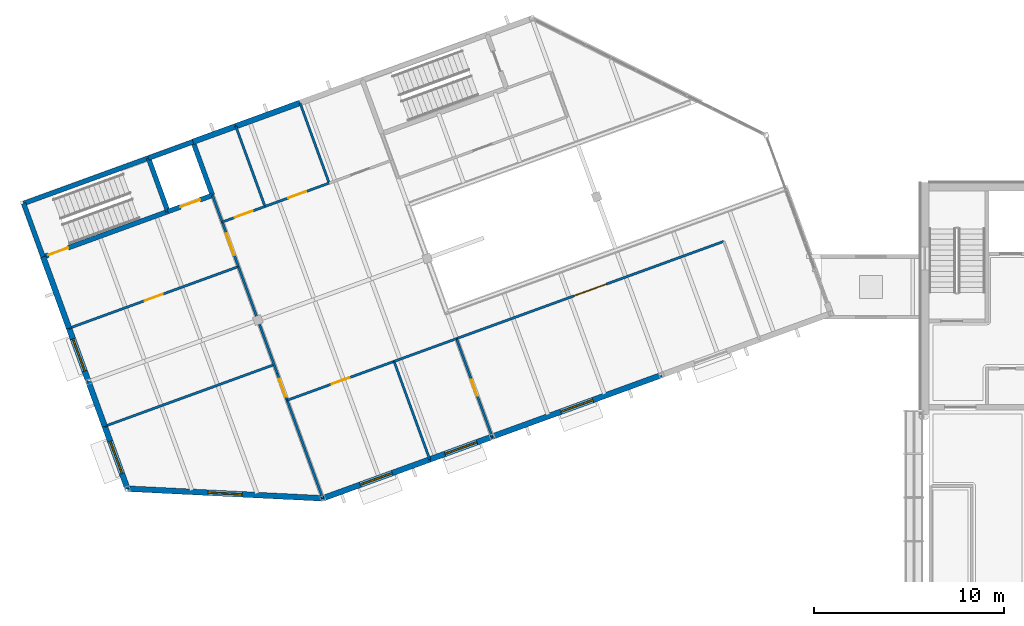
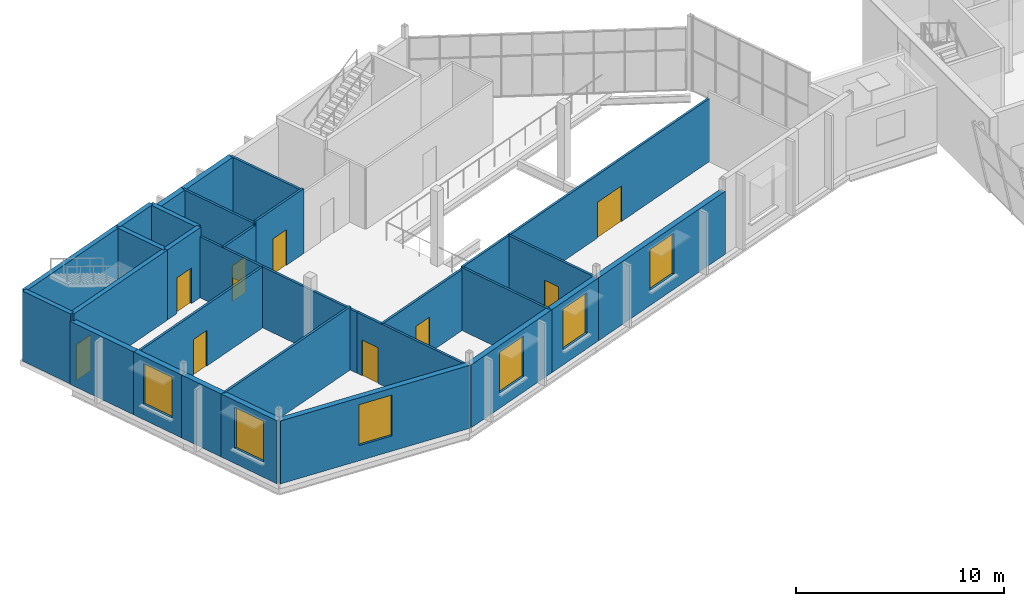
# One storey, part 70 of 115: 31 walls, 10 doors, 6 windows, 16 openings.
"""IFC4 building model written with IfcOpenShell, lengths in metres."""

from ifc_helpers import new_model, si_unit, direction, frame, frame_2d, origin, place, context, subcontext, project, spatial, rectangle, extrude, material, layer, layer_set, type_object, element, fill, save


model = new_model("IFC4")

# Units and contexts
model_context = context("Model", 3, precision=1e-05, world=origin(), true_north=direction((0.0, 1.0)))
body_context = subcontext(model_context, "Body", "Model", "MODEL_VIEW")
ifc_project = project(units=[si_unit("LENGTHUNIT", "METRE"), si_unit("AREAUNIT", "SQUARE_METRE"), si_unit("VOLUMEUNIT", "CUBIC_METRE"), si_unit("PLANEANGLEUNIT", "RADIAN"), si_unit("MASSUNIT", "GRAM", prefix="KILO")], contexts=[model_context])

# Site, building, storey
site_placement = place(None, origin())
site = spatial("IfcSite", under=ifc_project, at=site_placement, CompositionType="ELEMENT")
building_placement = place(site_placement, origin())
building = spatial("IfcBuilding", under=site, at=building_placement, Name="Windward Yard Aquatics Centre", CompositionType="ELEMENT")
storey_placement = place(building_placement, frame((0.0, 0.0, 5.0)))
storey = spatial("IfcBuildingStorey", under=building, at=storey_placement, Name="L01", CompositionType="ELEMENT", Elevation=5.0)

# Wall, opening, door
ifc_material_1 = material(Name="Concrete C40/50", Category="concrete")
ifc_layer_1 = layer(ifc_material_1, 0.25)
ifc_layer_set_1 = layer_set([ifc_layer_1], Name="F core wall 250 Concrete C40/50")
wall_type_1 = type_object("IfcWallType", Name="F core wall 250 Concrete C40/50", PredefinedType="SOLIDWALL", material=ifc_layer_set_1)
wall_1_placement = place(storey_placement, frame((5.751708984375, 92.07958984375, 0.0), z_axis=(0.0, 0.0, 1.0), x_axis=(0.939697665127, 0.342006283793, 0.0)))
wall_1 = element("IfcWall", 1, at=wall_1_placement, inside=storey, type_object=wall_type_1, Name="F.WL.L01.C01", PredefinedType="SOLIDWALL", context=body_context, shape_type="SweptSolid", body=[
    extrude(rectangle(XDim=7.0, YDim=0.25, at=frame_2d((3.5, 0.0))), origin(), (0.0, 0.0, 1.0), 4.1201171875),
])
opening_1_placement = place(wall_1_placement, frame((0.300048828125, 0.0, 0.0)))
opening_1 = element("IfcOpeningElement", 2, at=opening_1_placement, cuts=wall_1, Name="Opening F1002", PredefinedType="OPENING", context=body_context, shape_type="SweptSolid", body=[
    extrude(rectangle(XDim=1.10009765625, YDim=2.10009765625, at=frame_2d((0.550048828125, 1.050048828125))), frame((0.0, 0.135009765625, 0.0), z_axis=(0.0, -1.0, 0.0), x_axis=(1.0, 0.0, 0.0)), (0.0, 0.0, 1.0), 0.27001953125),
])
ifc_material_2 = material(Name="Steel, painted", Category="steel")
door_type_1 = type_object("IfcDoorType", Name="F fire door 1100x2100 steel", OperationType="SINGLE_SWING_LEFT", PredefinedType="DOOR", material=ifc_material_2)
door_1_placement = place(opening_1_placement, origin())
door_1 = element("IfcDoor", 3, at=door_1_placement, inside=storey, type_object=door_type_1, Name="Stair S1 door F1002", OperationType="SINGLE_SWING_LEFT", OverallHeight=2.10009765625, OverallWidth=1.10009765625, PredefinedType="DOOR", context=body_context, shape_type="SweptSolid", body=[
    extrude(rectangle(XDim=1.10009765625, YDim=2.10009765625, at=frame_2d((0.550048828125, 1.050048828125))), frame((0.0, 0.02490234375, 0.0), z_axis=(0.0, -1.0, 0.0), x_axis=(1.0, 0.0, 0.0)), (0.0, 0.0, 1.0), 0.050048828125),
])
fill(opening_1, door_1)

# Wall
wall_2_placement = place(storey_placement, frame((12.32958984375, 94.4736328125, 0.0), z_axis=(0.0, 0.0, 1.0), x_axis=(-0.342037080957, 0.939686455819, 0.0)))
element("IfcWall", 4, at=wall_2_placement, inside=storey, type_object=wall_type_1, Name="F.WL.L01.C02", PredefinedType="SOLIDWALL", context=body_context, shape_type="SweptSolid", body=[
    extrude(rectangle(XDim=3.0, YDim=0.25, at=frame_2d((1.5, 0.0))), origin(), (0.0, 0.0, 1.0), 4.1201171875),
])

# Wall, opening, door
wall_3_placement = place(storey_placement, frame((12.32958984375, 94.4736328125, 0.0), z_axis=(0.0, 0.0, 1.0), x_axis=(0.939696437289, 0.342009657388, 0.0)))
wall_3 = element("IfcWall", 5, at=wall_3_placement, inside=storey, type_object=wall_type_1, Name="F.WL.L01.C03", PredefinedType="SOLIDWALL", context=body_context, shape_type="SweptSolid", body=[
    extrude(rectangle(XDim=2.499755859375, YDim=0.25, at=frame_2d((1.25, 0.0))), origin(), (0.0, 0.0, 1.0), 4.1201171875),
])
opening_2_placement = place(wall_3_placement, frame((0.699951171875, 0.0, 0.0)))
opening_2 = element("IfcOpeningElement", 6, at=opening_2_placement, cuts=wall_3, Name="Opening LD", PredefinedType="OPENING", context=body_context, shape_type="SweptSolid", body=[
    extrude(rectangle(XDim=1.10009765625, YDim=2.10009765625, at=frame_2d((0.550048828125, 1.050048828125))), frame((0.0, 0.135009765625, 0.0), z_axis=(0.0, -1.0, 0.0), x_axis=(1.0, 0.0, 0.0)), (0.0, 0.0, 1.0), 0.27001953125),
])
ifc_material_3 = material(Name="Stainless steel", Category="steel")
door_type_2 = type_object("IfcDoorType", Name="F lift landing door 1100x2100 stainless steel", OperationType="SINGLE_SWING_LEFT", PredefinedType="DOOR", material=ifc_material_3)
door_2_placement = place(opening_2_placement, origin())
door_2 = element("IfcDoor", 7, at=door_2_placement, inside=storey, type_object=door_type_2, Name="Lift landing door LD", OperationType="DOUBLE_DOOR_SLIDING", OverallHeight=2.10009765625, OverallWidth=1.10009765625, PredefinedType="DOOR", context=body_context, shape_type="SweptSolid", body=[
    extrude(rectangle(XDim=1.10009765625, YDim=2.10009765625, at=frame_2d((0.550048828125, 1.050048828125))), frame((0.0, 0.02490234375, 0.0), z_axis=(0.0, -1.0, 0.0), x_axis=(1.0, 0.0, 0.0)), (0.0, 0.0, 1.0), 0.050048828125),
])
fill(opening_2, door_2)

# Walls
wall_4_placement = place(storey_placement, frame((14.6787109375, 95.32861328125, 0.0), z_axis=(0.0, 0.0, 1.0), x_axis=(-0.342037080957, 0.939686455819, 0.0)))
element("IfcWall", 8, at=wall_4_placement, inside=storey, type_object=wall_type_1, Name="F.WL.L01.C04", PredefinedType="SOLIDWALL", context=body_context, shape_type="SweptSolid", body=[
    extrude(rectangle(XDim=3.0, YDim=0.25, at=frame_2d((1.5, 0.0))), origin(), (0.0, 0.0, 1.0), 4.1201171875),
])
wall_5_placement = place(storey_placement, frame((13.652587890625, 98.147705078125, 0.0), z_axis=(0.0, 0.0, 1.0), x_axis=(-0.939696437289, -0.342009657388, 0.0)))
element("IfcWall", 9, at=wall_5_placement, inside=storey, type_object=wall_type_1, Name="F.WL.L01.X02", PredefinedType="SOLIDWALL", context=body_context, shape_type="SweptSolid", body=[
    extrude(rectangle(XDim=2.499755859375, YDim=0.25, at=frame_2d((1.25, 0.0))), origin(), (0.0, 0.0, 1.0), 4.1201171875),
])
wall_6_placement = place(storey_placement, frame((11.303466796875, 97.292724609375, 0.0), z_axis=(0.0, 0.0, 1.0), x_axis=(-0.939686455819, -0.342037080957, 0.0)))
element("IfcWall", 10, at=wall_6_placement, inside=storey, type_object=wall_type_1, Name="F.WL.L01.X03", PredefinedType="SOLIDWALL", context=body_context, shape_type="SweptSolid", body=[
    extrude(rectangle(XDim=7.0, YDim=0.25, at=frame_2d((3.5, 0.0))), origin(), (0.0, 0.0, 1.0), 4.1201171875),
])
wall_7_placement = place(storey_placement, frame((4.7255859375, 94.8984375, 0.0), z_axis=(0.0, 0.0, 1.0), x_axis=(0.342063238742, -0.939676934218, 0.0)))
element("IfcWall", 11, at=wall_7_placement, inside=storey, type_object=wall_type_1, Name="F.WL.L01.X04", PredefinedType="SOLIDWALL", context=body_context, shape_type="SweptSolid", body=[
    extrude(rectangle(XDim=2.999755859375, YDim=0.25, at=frame_2d((1.5, 0.0))), origin(), (0.0, 0.0, 1.0), 4.1201171875),
])

# Wall, opening, door
ifc_material_4 = material(Name="Gypsum board on steel studs", Category="steel")
ifc_layer_2 = layer(ifc_material_4, 0.125)
ifc_layer_set_2 = layer_set([ifc_layer_2], Name="F partition 125 gypsum board")
wall_type_2 = type_object("IfcWallType", Name="F partition 125 gypsum board", PredefinedType="PARTITIONING", material=ifc_layer_set_2)
wall_8_placement = place(storey_placement, frame((7.119873046875, 88.32080078125, 0.0), z_axis=(0.0, 0.0, 1.0), x_axis=(0.939697342025, 0.342007171549, 0.0)))
wall_8 = element("IfcWall", 12, at=wall_8_placement, inside=storey, type_object=wall_type_2, Name="F.WL.L01.P001", PredefinedType="PARTITIONING", context=body_context, shape_type="SweptSolid", body=[
    extrude(rectangle(XDim=9.499755859375, YDim=0.125, at=frame_2d((4.75, 0.0))), origin(), (0.0, 0.0, 1.0), 3.5869140625),
])
opening_3_placement = place(wall_8_placement, frame((4.25, 0.0, 0.0)))
opening_3 = element("IfcOpeningElement", 13, at=opening_3_placement, cuts=wall_8, Name="Opening F1005", PredefinedType="OPENING", context=body_context, shape_type="SweptSolid", body=[
    extrude(rectangle(XDim=1.0, YDim=2.10009765625, at=frame_2d((0.5, 1.050048828125))), frame((0.0, 0.072509765625, 0.0), z_axis=(0.0, -1.0, 0.0), x_axis=(1.0, 0.0, 0.0)), (0.0, 0.0, 1.0), 0.14501953125),
])
ifc_material_5 = material(Name="Timber, painted", Category="wood")
door_type_3 = type_object("IfcDoorType", Name="F door 1000x2100 timber", OperationType="SINGLE_SWING_LEFT", PredefinedType="DOOR", material=ifc_material_5)
door_3_placement = place(opening_3_placement, origin())
door_3 = element("IfcDoor", 14, at=door_3_placement, inside=storey, type_object=door_type_3, Name="Community Room 2 door F1005", OperationType="SINGLE_SWING_RIGHT", OverallHeight=2.10009765625, OverallWidth=1.0, PredefinedType="DOOR", context=body_context, shape_type="SweptSolid", body=[
    extrude(rectangle(XDim=1.0, YDim=2.10009765625, at=frame_2d((0.5, 1.050048828125))), frame((0.0, 0.02490234375, 0.0), z_axis=(0.0, -1.0, 0.0), x_axis=(1.0, 0.0, 0.0)), (0.0, 0.0, 1.0), 0.050048828125),
])
fill(opening_3, door_3)

wall_9_placement = place(storey_placement, frame((16.046875, 91.56982421875, 0.0), z_axis=(0.0, 0.0, 1.0), x_axis=(-0.342037080957, 0.939686455819, 0.0)))
wall_9 = element("IfcWall", 15, at=wall_9_placement, inside=storey, type_object=wall_type_2, Name="F.WL.L01.P002", PredefinedType="PARTITIONING", context=body_context, shape_type="SweptSolid", body=[
    extrude(rectangle(XDim=4.0, YDim=0.125, at=frame_2d((2.0, 0.0))), origin(), (0.0, 0.0, 1.0), 3.5869140625),
])
opening_4_placement = place(wall_9_placement, frame((0.64990234375, 0.0, 0.0)))
opening_4 = element("IfcOpeningElement", 16, at=opening_4_placement, cuts=wall_9, Name="Opening F1003", PredefinedType="OPENING", context=body_context, shape_type="SweptSolid", body=[
    extrude(rectangle(XDim=1.199951171875, YDim=2.10009765625, at=frame_2d((0.60009765625, 1.050048828125))), frame((0.0, 0.072509765625, 0.0), z_axis=(0.0, -1.0, 0.0), x_axis=(1.0, 0.0, 0.0)), (0.0, 0.0, 1.0), 0.14501953125),
])
door_type_4 = type_object("IfcDoorType", Name="F fire door 1200x2100 steel", OperationType="SINGLE_SWING_LEFT", PredefinedType="DOOR", material=ifc_material_2)
door_4_placement = place(opening_4_placement, origin())
door_4 = element("IfcDoor", 17, at=door_4_placement, inside=storey, type_object=door_type_4, Name="Lift Lobby door F1003", OperationType="SINGLE_SWING_RIGHT", OverallHeight=2.10009765625, OverallWidth=1.199951171875, PredefinedType="DOOR", context=body_context, shape_type="SweptSolid", body=[
    extrude(rectangle(XDim=1.199951171875, YDim=2.10009765625, at=frame_2d((0.60009765625, 1.050048828125))), frame((0.0, 0.02490234375, 0.0), z_axis=(0.0, -1.0, 0.0), x_axis=(1.0, 0.0, 0.0)), (0.0, 0.0, 1.0), 0.050048828125),
])
fill(opening_4, door_4)

# Walls
wall_10_placement = place(storey_placement, frame((26.13134765625, 81.406005859375, 0.0), z_axis=(0.0, 0.0, 1.0), x_axis=(-0.34202461616, 0.939690992795, 0.0)))
element("IfcWall", 18, at=wall_10_placement, inside=storey, type_object=wall_type_2, Name="F.WL.L01.P003", PredefinedType="PARTITIONING", context=body_context, shape_type="SweptSolid", body=[
    extrude(rectangle(XDim=5.5, YDim=0.125, at=frame_2d((2.75, 0.0))), origin(), (0.0, 0.0, 1.0), 3.702880859375),
])
wall_11_placement = place(storey_placement, frame((24.250244140625, 86.57421875, 0.0), z_axis=(0.0, 0.0, 1.0), x_axis=(0.939671164665, 0.342079087782, 0.0)))
element("IfcWall", 19, at=wall_11_placement, inside=storey, type_object=wall_type_2, Name="F.WL.L01.P004", PredefinedType="PARTITIONING", context=body_context, shape_type="SweptSolid", body=[
    extrude(rectangle(XDim=3.5, YDim=0.125, at=frame_2d((1.75, 0.0))), origin(), (0.0, 0.0, 1.0), 3.702880859375),
])

# Wall, opening, door
wall_12_placement = place(storey_placement, frame((29.420166015625, 82.60302734375, 0.0), z_axis=(0.0, 0.0, 1.0), x_axis=(-0.342010349897, 0.939696185245, 0.0)))
wall_12 = element("IfcWall", 20, at=wall_12_placement, inside=storey, type_object=wall_type_2, Name="F.WL.L01.P005", PredefinedType="PARTITIONING", context=body_context, shape_type="SweptSolid", body=[
    extrude(rectangle(XDim=5.500244140625, YDim=0.125, at=frame_2d((2.75, 0.0))), origin(), (0.0, 0.0, 1.0), 3.702880859375),
])
opening_5_placement = place(wall_12_placement, frame((2.300048828125, 0.0, 0.0)))
opening_5 = element("IfcOpeningElement", 21, at=opening_5_placement, cuts=wall_12, Name="Opening F1007", PredefinedType="OPENING", context=body_context, shape_type="SweptSolid", body=[
    extrude(rectangle(XDim=0.89990234375, YDim=2.10009765625, at=frame_2d((0.449951171875, 1.050048828125))), frame((0.0, 0.072509765625, 0.0), z_axis=(0.0, -1.0, 0.0), x_axis=(1.0, 0.0, 0.0)), (0.0, 0.0, 1.0), 0.14501953125),
])
door_type_5 = type_object("IfcDoorType", Name="F fire door 900x2100 steel", OperationType="SINGLE_SWING_LEFT", PredefinedType="DOOR", material=ifc_material_2)
door_5_placement = place(opening_5_placement, origin())
door_5 = element("IfcDoor", 22, at=door_5_placement, inside=storey, type_object=door_type_5, Name="Catering Kitchen door F1007", OperationType="SINGLE_SWING_RIGHT", OverallHeight=2.10009765625, OverallWidth=0.89990234375, PredefinedType="DOOR", context=body_context, shape_type="SweptSolid", body=[
    extrude(rectangle(XDim=0.89990234375, YDim=2.10009765625, at=frame_2d((0.449951171875, 1.050048828125))), frame((0.0, 0.02490234375, 0.0), z_axis=(0.0, -1.0, 0.0), x_axis=(1.0, 0.0, 0.0)), (0.0, 0.0, 1.0), 0.050048828125),
])
fill(opening_5, door_5)

# Wall
wall_13_placement = place(storey_placement, frame((9.0009765625, 83.15234375, 0.0), z_axis=(0.0, 0.0, 1.0), x_axis=(0.939689082478, 0.342029864589, 0.0)))
element("IfcWall", 23, at=wall_13_placement, inside=storey, type_object=wall_type_2, Name="F.WL.L01.P006", PredefinedType="PARTITIONING", context=body_context, shape_type="SweptSolid", body=[
    extrude(rectangle(XDim=9.5, YDim=0.125, at=frame_2d((4.75, 0.0))), origin(), (0.0, 0.0, 1.0), 3.702880859375),
])

# Wall, opening, door
wall_14_placement = place(storey_placement, frame((20.4931640625, 79.35400390625, 0.0), z_axis=(0.0, 0.0, 1.0), x_axis=(-0.342017493073, 0.939693585395, 0.0)))
wall_14 = element("IfcWall", 24, at=wall_14_placement, inside=storey, type_object=wall_type_2, Name="F.WL.L01.P007", PredefinedType="PARTITIONING", context=body_context, shape_type="SweptSolid", body=[
    extrude(rectangle(XDim=6.999755859375, YDim=0.125, at=frame_2d((3.5, 0.0))), origin(), (0.0, 0.0, 1.0), 3.5869140625),
])
opening_6_placement = place(wall_14_placement, frame((5.699951171875, 0.0, 0.0)))
opening_6 = element("IfcOpeningElement", 25, at=opening_6_placement, cuts=wall_14, Name="Opening F1004", PredefinedType="OPENING", context=body_context, shape_type="SweptSolid", body=[
    extrude(rectangle(XDim=1.0, YDim=2.10009765625, at=frame_2d((0.5, 1.050048828125))), frame((0.0, 0.072509765625, 0.0), z_axis=(0.0, -1.0, 0.0), x_axis=(1.0, 0.0, 0.0)), (0.0, 0.0, 1.0), 0.14501953125),
])
door_6_placement = place(opening_6_placement, origin())
door_6 = element("IfcDoor", 26, at=door_6_placement, inside=storey, type_object=door_type_3, Name="Community Room 1 door F1004", OperationType="SINGLE_SWING_LEFT", OverallHeight=2.10009765625, OverallWidth=1.0, PredefinedType="DOOR", context=body_context, shape_type="SweptSolid", body=[
    extrude(rectangle(XDim=1.0, YDim=2.10009765625, at=frame_2d((0.5, 1.050048828125))), frame((0.0, 0.02490234375, 0.0), z_axis=(0.0, -1.0, 0.0), x_axis=(1.0, 0.0, 0.0)), (0.0, 0.0, 1.0), 0.050048828125),
])
fill(opening_6, door_6)

wall_15_placement = place(storey_placement, frame((18.612060546875, 84.522216796875, 0.0), z_axis=(0.0, 0.0, 1.0), x_axis=(0.939699533273, 0.342001150825, 0.0)))
wall_15 = element("IfcWall", 27, at=wall_15_placement, inside=storey, type_object=wall_type_2, Name="F.WL.L01.P008", PredefinedType="PARTITIONING", context=body_context, shape_type="SweptSolid", body=[
    extrude(rectangle(XDim=6.0, YDim=0.125, at=frame_2d((3.0, 0.0))), origin(), (0.0, 0.0, 1.0), 3.5869140625),
])
opening_7_placement = place(wall_15_placement, frame((2.5, 0.0, 0.0)))
opening_7 = element("IfcOpeningElement", 28, at=opening_7_placement, cuts=wall_15, Name="Opening F1006", PredefinedType="OPENING", context=body_context, shape_type="SweptSolid", body=[
    extrude(rectangle(XDim=1.0, YDim=2.10009765625, at=frame_2d((0.5, 1.050048828125))), frame((0.0, 0.072509765625, 0.0), z_axis=(0.0, -1.0, 0.0), x_axis=(1.0, 0.0, 0.0)), (0.0, 0.0, 1.0), 0.14501953125),
])
door_7_placement = place(opening_7_placement, origin())
door_7 = element("IfcDoor", 29, at=door_7_placement, inside=storey, type_object=door_type_3, Name="Community Room 3 door F1006", OperationType="SINGLE_SWING_LEFT", OverallHeight=2.10009765625, OverallWidth=1.0, PredefinedType="DOOR", context=body_context, shape_type="SweptSolid", body=[
    extrude(rectangle(XDim=1.0, YDim=2.10009765625, at=frame_2d((0.5, 1.050048828125))), frame((0.0, 0.02490234375, 0.0), z_axis=(0.0, -1.0, 0.0), x_axis=(1.0, 0.0, 0.0)), (0.0, 0.0, 1.0), 0.050048828125),
])
fill(opening_7, door_7)

# Wall
wall_16_placement = place(storey_placement, frame((18.09912109375, 85.931640625, 0.0), z_axis=(0.0, 0.0, 1.0), x_axis=(-0.342037080957, 0.939686455819, 0.0)))
element("IfcWall", 30, at=wall_16_placement, inside=storey, type_object=wall_type_2, Name="F.WL.L01.P009", PredefinedType="PARTITIONING", context=body_context, shape_type="SweptSolid", body=[
    extrude(rectangle(XDim=6.0, YDim=0.125, at=frame_2d((3.0, 0.0))), origin(), (0.0, 0.0, 1.0), 3.5869140625),
])

# Wall, opening, door
wall_17_placement = place(storey_placement, frame((15.19189453125, 93.919189453125, 0.0), z_axis=(0.0, 0.0, 1.0), x_axis=(0.939692393678, 0.342020767299, 0.0)))
wall_17 = element("IfcWall", 31, at=wall_17_placement, inside=storey, type_object=wall_type_2, Name="F.WL.L01.P010", PredefinedType="PARTITIONING", context=body_context, shape_type="SweptSolid", body=[
    extrude(rectangle(XDim=2.39990234375, YDim=0.125, at=frame_2d((1.199951171875, 0.0))), origin(), (0.0, 0.0, 1.0), 3.5869140625),
])
opening_8_placement = place(wall_17_placement, frame((0.699951171875, 0.0, 0.0)))
opening_8 = element("IfcOpeningElement", 32, at=opening_8_placement, cuts=wall_17, Name="Opening F1009", PredefinedType="OPENING", context=body_context, shape_type="SweptSolid", body=[
    extrude(rectangle(XDim=1.0, YDim=2.10009765625, at=frame_2d((0.5, 1.050048828125))), frame((0.0, 0.072509765625, 0.0), z_axis=(0.0, -1.0, 0.0), x_axis=(1.0, 0.0, 0.0)), (0.0, 0.0, 1.0), 0.14501953125),
])
door_8_placement = place(opening_8_placement, origin())
door_8 = element("IfcDoor", 33, at=door_8_placement, inside=storey, type_object=door_type_3, Name="Accessible WC door F1009", OperationType="SINGLE_SWING_RIGHT", OverallHeight=2.10009765625, OverallWidth=1.0, PredefinedType="DOOR", context=body_context, shape_type="SweptSolid", body=[
    extrude(rectangle(XDim=1.0, YDim=2.10009765625, at=frame_2d((0.5, 1.050048828125))), frame((0.0, 0.02490234375, 0.0), z_axis=(0.0, -1.0, 0.0), x_axis=(1.0, 0.0, 0.0)), (0.0, 0.0, 1.0), 0.050048828125),
])
fill(opening_8, door_8)

# Wall
wall_18_placement = place(storey_placement, frame((17.447021484375, 94.739990234375, 0.0), z_axis=(0.0, 0.0, 1.0), x_axis=(-0.3420218461, 0.939692001025, 0.0)))
element("IfcWall", 34, at=wall_18_placement, inside=storey, type_object=wall_type_2, Name="F.WL.L01.P011", PredefinedType="PARTITIONING", context=body_context, shape_type="SweptSolid", body=[
    extrude(rectangle(XDim=4.5, YDim=0.125, at=frame_2d((2.25, 0.0))), origin(), (0.0, 0.0, 1.0), 3.702880859375),
])

# Wall, opening, door
wall_19_placement = place(storey_placement, frame((17.447021484375, 94.739990234375, 0.0), z_axis=(0.0, 0.0, 1.0), x_axis=(0.939704292321, 0.341988074343, 0.0)))
wall_19 = element("IfcWall", 35, at=wall_19_placement, inside=storey, type_object=wall_type_2, Name="F.WL.L01.P012", PredefinedType="PARTITIONING", context=body_context, shape_type="SweptSolid", body=[
    extrude(rectangle(XDim=3.60009765625, YDim=0.125, at=frame_2d((1.800048828125, 0.0))), origin(), (0.0, 0.0, 1.0), 3.818115234375),
])
opening_9_placement = place(wall_19_placement, frame((1.300048828125, 0.0, 0.0)))
opening_9 = element("IfcOpeningElement", 36, at=opening_9_placement, cuts=wall_19, Name="Opening F1010", PredefinedType="OPENING", context=body_context, shape_type="SweptSolid", body=[
    extrude(rectangle(XDim=1.0, YDim=2.10009765625, at=frame_2d((0.5, 1.050048828125))), frame((0.0, 0.072509765625, 0.0), z_axis=(0.0, -1.0, 0.0), x_axis=(1.0, 0.0, 0.0)), (0.0, 0.0, 1.0), 0.14501953125),
])
door_9_placement = place(opening_9_placement, origin())
door_9 = element("IfcDoor", 37, at=door_9_placement, inside=storey, type_object=door_type_3, Name="WC Women door F1010", OperationType="SINGLE_SWING_LEFT", OverallHeight=2.10009765625, OverallWidth=1.0, PredefinedType="DOOR", context=body_context, shape_type="SweptSolid", body=[
    extrude(rectangle(XDim=1.0, YDim=2.10009765625, at=frame_2d((0.5, 1.050048828125))), frame((0.0, 0.02490234375, 0.0), z_axis=(0.0, -1.0, 0.0), x_axis=(1.0, 0.0, 0.0)), (0.0, 0.0, 1.0), 0.050048828125),
])
fill(opening_9, door_9)

# Wall
wall_20_placement = place(storey_placement, frame((20.830078125, 95.97119140625, 0.0), z_axis=(0.0, 0.0, 1.0), x_axis=(-0.34200440972, 0.939698347201, 0.0)))
element("IfcWall", 38, at=wall_20_placement, inside=storey, type_object=wall_type_2, Name="F.WL.L01.P013", PredefinedType="PARTITIONING", context=body_context, shape_type="SweptSolid", body=[
    extrude(rectangle(XDim=4.500244140625, YDim=0.125, at=frame_2d((2.25, 0.0))), origin(), (0.0, 0.0, 1.0), 3.702880859375),
])

# Wall, opening, door
wall_21_placement = place(storey_placement, frame((27.5390625, 87.771484375, 0.0), z_axis=(0.0, 0.0, 1.0), x_axis=(0.939696917863, 0.342008336972, 0.0)))
wall_21 = element("IfcWall", 39, at=wall_21_placement, inside=storey, type_object=wall_type_2, Name="F.WL.L01.P015", PredefinedType="PARTITIONING", context=body_context, shape_type="SweptSolid", body=[
    extrude(rectangle(XDim=15.0, YDim=0.125, at=frame_2d((7.5, 0.0))), origin(), (0.0, 0.0, 1.0), 3.702880859375),
])
opening_10_placement = place(wall_21_placement, frame((6.60009765625, 0.0, 0.0)))
opening_10 = element("IfcOpeningElement", 40, at=opening_10_placement, cuts=wall_21, Name="Opening F1008", PredefinedType="OPENING", context=body_context, shape_type="SweptSolid", body=[
    extrude(rectangle(XDim=1.800048828125, YDim=2.10009765625, at=frame_2d((0.89990234375, 1.050048828125))), frame((0.0, 0.072509765625, 0.0), z_axis=(0.0, -1.0, 0.0), x_axis=(1.0, 0.0, 0.0)), (0.0, 0.0, 1.0), 0.14501953125),
])
ifc_material_6 = material(Name="Aluminium and toughened glass", Category="aluminium")
door_type_6 = type_object("IfcDoorType", Name="F glazed door 1800x2100 aluminium", OperationType="SINGLE_SWING_LEFT", PredefinedType="DOOR", material=ifc_material_6)
door_10_placement = place(opening_10_placement, origin())
door_10 = element("IfcDoor", 41, at=door_10_placement, inside=storey, type_object=door_type_6, Name="Spectator Lounge door F1008", OperationType="DOUBLE_DOOR_SINGLE_SWING", OverallHeight=2.10009765625, OverallWidth=1.800048828125, PredefinedType="DOOR", context=body_context, shape_type="SweptSolid", body=[
    extrude(rectangle(XDim=1.800048828125, YDim=2.10009765625, at=frame_2d((0.89990234375, 1.050048828125))), frame((0.0, 0.02490234375, 0.0), z_axis=(0.0, -1.0, 0.0), x_axis=(1.0, 0.0, 0.0)), (0.0, 0.0, 1.0), 0.050048828125),
])
fill(opening_10, door_10)

# Wall, opening, window
ifc_material_7 = material(Name="Natural stone cladding", Category="masonry")
ifc_layer_3 = layer(ifc_material_7, 0.04, Name="Cladding")
ifc_material_8 = material(Name="Ventilated air cavity")
ifc_layer_4 = layer(ifc_material_8, 0.04, ventilated=True, Name="Ventilated cavity")
ifc_material_9 = material(Name="Mineral wool insulation")
ifc_layer_5 = layer(ifc_material_9, 0.06, Name="Insulation")
ifc_layer_6 = layer(ifc_material_1, 0.16, Name="Structure")
ifc_layer_set_3 = layer_set([ifc_layer_3, ifc_layer_4, ifc_layer_5, ifc_layer_6], Name="F stone-faced infill wall 300 Concrete C40/50")
wall_type_3 = type_object("IfcWallType", Name="F stone-faced infill wall 300 Concrete C40/50", PredefinedType="ELEMENTEDWALL", material=ifc_layer_set_3)
wall_22_placement = place(storey_placement, frame((10.197998046875, 79.863525390625, 0.0), z_axis=(0.0, 0.0, 1.0), x_axis=(0.998777549242, -0.049430831779, 0.0)))
wall_22 = element("IfcWall", 42, at=wall_22_placement, inside=storey, type_object=wall_type_3, Name="F.WL.L01.E01", PredefinedType="ELEMENTEDWALL", context=body_context, shape_type="SweptSolid", body=[
    extrude(rectangle(XDim=10.307861328125, YDim=0.300048828125, at=frame_2d((5.15380859375, 0.0))), origin(), (0.0, 0.0, 1.0), 3.702880859375),
])
opening_11_placement = place(wall_22_placement, frame((4.25390625, 0.0, 0.89990234375)))
opening_11 = element("IfcOpeningElement", 43, at=opening_11_placement, cuts=wall_22, Name="Opening F1101", PredefinedType="OPENING", context=body_context, shape_type="SweptSolid", body=[
    extrude(rectangle(XDim=1.800048828125, YDim=2.39990234375, at=frame_2d((0.89990234375, 1.199951171875))), frame((0.0, 0.16015625, 0.0), z_axis=(0.0, -1.0, 0.0), x_axis=(1.0, 0.0, 0.0)), (0.0, 0.0, 1.0), 0.320068359375),
])
ifc_material_10 = material(Name="Aluminium frame with double glazing", Category="aluminium")
window_type = type_object("IfcWindowType", Name="F window 1800x2400 double glazed", PartitioningType="SINGLE_PANEL", PredefinedType="WINDOW", material=ifc_material_10)
window_1_placement = place(opening_11_placement, origin())
window_1 = element("IfcWindow", 44, at=window_1_placement, inside=storey, type_object=window_type, Name="Window F1101", OverallHeight=2.39990234375, OverallWidth=1.800048828125, PartitioningType="SINGLE_PANEL", PredefinedType="WINDOW", context=body_context, shape_type="SweptSolid", body=[
    extrude(rectangle(XDim=1.800048828125, YDim=2.39990234375, at=frame_2d((0.89990234375, 1.199951171875))), frame((0.0, 0.030029296875, 0.0), z_axis=(0.0, -1.0, 0.0), x_axis=(1.0, 0.0, 0.0)), (0.0, 0.0, 1.0), 0.06005859375),
])
fill(opening_11, window_1)

wall_23_placement = place(storey_placement, frame((20.4931640625, 79.35400390625, 0.0), z_axis=(0.0, 0.0, 1.0), x_axis=(0.939699533273, 0.342001150825, 0.0)))
wall_23 = element("IfcWall", 45, at=wall_23_placement, inside=storey, type_object=wall_type_3, Name="F.WL.L01.E02", PredefinedType="ELEMENTEDWALL", context=body_context, shape_type="SweptSolid", body=[
    extrude(rectangle(XDim=6.0, YDim=0.300048828125, at=frame_2d((3.0, 0.0))), origin(), (0.0, 0.0, 1.0), 3.702880859375),
])
opening_12_placement = place(wall_23_placement, frame((2.10009765625, 0.0, 0.89990234375)))
opening_12 = element("IfcOpeningElement", 46, at=opening_12_placement, cuts=wall_23, Name="Opening F1102", PredefinedType="OPENING", context=body_context, shape_type="SweptSolid", body=[
    extrude(rectangle(XDim=1.800048828125, YDim=2.39990234375, at=frame_2d((0.89990234375, 1.199951171875))), frame((0.0, 0.16015625, 0.0), z_axis=(0.0, -1.0, 0.0), x_axis=(1.0, 0.0, 0.0)), (0.0, 0.0, 1.0), 0.320068359375),
])
window_2_placement = place(opening_12_placement, origin())
window_2 = element("IfcWindow", 47, at=window_2_placement, inside=storey, type_object=window_type, Name="Window F1102", OverallHeight=2.39990234375, OverallWidth=1.800048828125, PartitioningType="SINGLE_PANEL", PredefinedType="WINDOW", context=body_context, shape_type="SweptSolid", body=[
    extrude(rectangle(XDim=1.800048828125, YDim=2.39990234375, at=frame_2d((0.89990234375, 1.199951171875))), frame((0.0, 0.030029296875, 0.0), z_axis=(0.0, -1.0, 0.0), x_axis=(1.0, 0.0, 0.0)), (0.0, 0.0, 1.0), 0.06005859375),
])
fill(opening_12, window_2)

wall_24_placement = place(storey_placement, frame((26.13134765625, 81.406005859375, 0.0), z_axis=(0.0, 0.0, 1.0), x_axis=(0.939693585395, 0.342017493073, 0.0)))
wall_24 = element("IfcWall", 48, at=wall_24_placement, inside=storey, type_object=wall_type_3, Name="F.WL.L01.E03", PredefinedType="ELEMENTEDWALL", context=body_context, shape_type="SweptSolid", body=[
    extrude(rectangle(XDim=3.5, YDim=0.300048828125, at=frame_2d((1.75, 0.0))), origin(), (0.0, 0.0, 1.0), 3.702880859375),
])
opening_13_placement = place(wall_24_placement, frame((0.85009765625, 0.0, 0.89990234375)))
opening_13 = element("IfcOpeningElement", 49, at=opening_13_placement, cuts=wall_24, Name="Opening F1103", PredefinedType="OPENING", context=body_context, shape_type="SweptSolid", body=[
    extrude(rectangle(XDim=1.800048828125, YDim=2.39990234375, at=frame_2d((0.89990234375, 1.199951171875))), frame((0.0, 0.16015625, 0.0), z_axis=(0.0, -1.0, 0.0), x_axis=(1.0, 0.0, 0.0)), (0.0, 0.0, 1.0), 0.320068359375),
])
window_3_placement = place(opening_13_placement, origin())
window_3 = element("IfcWindow", 50, at=window_3_placement, inside=storey, type_object=window_type, Name="Window F1103", OverallHeight=2.39990234375, OverallWidth=1.800048828125, PartitioningType="SINGLE_PANEL", PredefinedType="WINDOW", context=body_context, shape_type="SweptSolid", body=[
    extrude(rectangle(XDim=1.800048828125, YDim=2.39990234375, at=frame_2d((0.89990234375, 1.199951171875))), frame((0.0, 0.030029296875, 0.0), z_axis=(0.0, -1.0, 0.0), x_axis=(1.0, 0.0, 0.0)), (0.0, 0.0, 1.0), 0.06005859375),
])
fill(opening_13, window_3)

wall_25_placement = place(storey_placement, frame((29.420166015625, 82.60302734375, 0.0), z_axis=(0.0, 0.0, 1.0), x_axis=(0.939692088769, 0.342021605027, 0.0)))
wall_25 = element("IfcWall", 51, at=wall_25_placement, inside=storey, type_object=wall_type_3, Name="F.WL.L01.E04", PredefinedType="ELEMENTEDWALL", context=body_context, shape_type="SweptSolid", body=[
    extrude(rectangle(XDim=9.500244140625, YDim=0.300048828125, at=frame_2d((4.75, 0.0))), origin(), (0.0, 0.0, 1.0), 3.702880859375),
])
opening_14_placement = place(wall_25_placement, frame((3.85009765625, 0.0, 0.89990234375)))
opening_14 = element("IfcOpeningElement", 52, at=opening_14_placement, cuts=wall_25, Name="Opening F1104", PredefinedType="OPENING", context=body_context, shape_type="SweptSolid", body=[
    extrude(rectangle(XDim=1.800048828125, YDim=2.39990234375, at=frame_2d((0.89990234375, 1.199951171875))), frame((0.0, 0.16015625, 0.0), z_axis=(0.0, -1.0, 0.0), x_axis=(1.0, 0.0, 0.0)), (0.0, 0.0, 1.0), 0.320068359375),
])
window_4_placement = place(opening_14_placement, origin())
window_4 = element("IfcWindow", 53, at=window_4_placement, inside=storey, type_object=window_type, Name="Window F1104", OverallHeight=2.39990234375, OverallWidth=1.800048828125, PartitioningType="SINGLE_PANEL", PredefinedType="WINDOW", context=body_context, shape_type="SweptSolid", body=[
    extrude(rectangle(XDim=1.800048828125, YDim=2.39990234375, at=frame_2d((0.89990234375, 1.199951171875))), frame((0.0, 0.030029296875, 0.0), z_axis=(0.0, -1.0, 0.0), x_axis=(1.0, 0.0, 0.0)), (0.0, 0.0, 1.0), 0.06005859375),
])
fill(opening_14, window_4)

# Walls
wall_26_placement = place(storey_placement, frame((19.291015625, 100.199951171875, 0.0), z_axis=(0.0, 0.0, 1.0), x_axis=(-0.93968249756, -0.342047955379, 0.0)))
element("IfcWall", 54, at=wall_26_placement, inside=storey, type_object=wall_type_3, Name="F.WL.L01.E09", PredefinedType="ELEMENTEDWALL", context=body_context, shape_type="SweptSolid", body=[
    extrude(rectangle(XDim=3.60009765625, YDim=0.300048828125, at=frame_2d((1.800048828125, 0.0))), origin(), (0.0, 0.0, 1.0), 3.702880859375),
])
wall_27_placement = place(storey_placement, frame((15.907958984375, 98.968505859375, 0.0), z_axis=(0.0, 0.0, 1.0), x_axis=(-0.939704292321, -0.341988074343, 0.0)))
element("IfcWall", 55, at=wall_27_placement, inside=storey, type_object=wall_type_3, Name="F.WL.L01.E10", PredefinedType="ELEMENTEDWALL", context=body_context, shape_type="SweptSolid", body=[
    extrude(rectangle(XDim=2.400146484375, YDim=0.300048828125, at=frame_2d((1.2001953125, 0.0))), origin(), (0.0, 0.0, 1.0), 3.702880859375),
])
wall_28_placement = place(storey_placement, frame((5.751708984375, 92.07958984375, 0.0), z_axis=(0.0, 0.0, 1.0), x_axis=(0.342037080957, -0.939686455819, 0.0)))
element("IfcWall", 56, at=wall_28_placement, inside=storey, type_object=wall_type_3, Name="F.WL.L01.E11", PredefinedType="ELEMENTEDWALL", context=body_context, shape_type="SweptSolid", body=[
    extrude(rectangle(XDim=4.0, YDim=0.300048828125, at=frame_2d((2.0, 0.0))), origin(), (0.0, 0.0, 1.0), 3.702880859375),
])

# Wall, opening, window
wall_29_placement = place(storey_placement, frame((7.119873046875, 88.32080078125, 0.0), z_axis=(0.0, 0.0, 1.0), x_axis=(0.341965219194, -0.939712609717, 0.0)))
wall_29 = element("IfcWall", 57, at=wall_29_placement, inside=storey, type_object=wall_type_3, Name="F.WL.L01.E12", PredefinedType="ELEMENTEDWALL", context=body_context, shape_type="SweptSolid", body=[
    extrude(rectangle(XDim=3.0, YDim=0.300048828125, at=frame_2d((1.5, 0.0))), origin(), (0.0, 0.0, 1.0), 3.702880859375),
])
opening_15_placement = place(wall_29_placement, frame((0.60009765625, 0.0, 0.89990234375)))
opening_15 = element("IfcOpeningElement", 58, at=opening_15_placement, cuts=wall_29, Name="Opening F1106", PredefinedType="OPENING", context=body_context, shape_type="SweptSolid", body=[
    extrude(rectangle(XDim=1.800048828125, YDim=2.39990234375, at=frame_2d((0.89990234375, 1.199951171875))), frame((0.0, 0.16015625, 0.0), z_axis=(0.0, -1.0, 0.0), x_axis=(1.0, 0.0, 0.0)), (0.0, 0.0, 1.0), 0.320068359375),
])
window_5_placement = place(opening_15_placement, origin())
window_5 = element("IfcWindow", 59, at=window_5_placement, inside=storey, type_object=window_type, Name="Window F1106", OverallHeight=2.39990234375, OverallWidth=1.800048828125, PartitioningType="SINGLE_PANEL", PredefinedType="WINDOW", context=body_context, shape_type="SweptSolid", body=[
    extrude(rectangle(XDim=1.800048828125, YDim=2.39990234375, at=frame_2d((0.89990234375, 1.199951171875))), frame((0.0, 0.030029296875, 0.0), z_axis=(0.0, -1.0, 0.0), x_axis=(1.0, 0.0, 0.0)), (0.0, 0.0, 1.0), 0.06005859375),
])
fill(opening_15, window_5)

# Wall
wall_30_placement = place(storey_placement, frame((8.145751953125, 85.501708984375, 0.0), z_axis=(0.0, 0.0, 1.0), x_axis=(0.342064500802, -0.939676474799, 0.0)))
element("IfcWall", 60, at=wall_30_placement, inside=storey, type_object=wall_type_3, Name="F.WL.L01.E13", PredefinedType="ELEMENTEDWALL", context=body_context, shape_type="SweptSolid", body=[
    extrude(rectangle(XDim=2.500244140625, YDim=0.300048828125, at=frame_2d((1.25, 0.0))), origin(), (0.0, 0.0, 1.0), 3.702880859375),
])

# Wall, opening, window
wall_31_placement = place(storey_placement, frame((9.0009765625, 83.15234375, 0.0), z_axis=(0.0, 0.0, 1.0), x_axis=(0.342017493073, -0.939693585395, 0.0)))
wall_31 = element("IfcWall", 61, at=wall_31_placement, inside=storey, type_object=wall_type_3, Name="F.WL.L01.E14", PredefinedType="ELEMENTEDWALL", context=body_context, shape_type="SweptSolid", body=[
    extrude(rectangle(XDim=3.5, YDim=0.300048828125, at=frame_2d((1.75, 0.0))), origin(), (0.0, 0.0, 1.0), 3.702880859375),
])
opening_16_placement = place(wall_31_placement, frame((0.85009765625, 0.0, 0.89990234375)))
opening_16 = element("IfcOpeningElement", 62, at=opening_16_placement, cuts=wall_31, Name="Opening F1107", PredefinedType="OPENING", context=body_context, shape_type="SweptSolid", body=[
    extrude(rectangle(XDim=1.800048828125, YDim=2.39990234375, at=frame_2d((0.89990234375, 1.199951171875))), frame((0.0, 0.16015625, 0.0), z_axis=(0.0, -1.0, 0.0), x_axis=(1.0, 0.0, 0.0)), (0.0, 0.0, 1.0), 0.320068359375),
])
window_6_placement = place(opening_16_placement, origin())
window_6 = element("IfcWindow", 63, at=window_6_placement, inside=storey, type_object=window_type, Name="Window F1107", OverallHeight=2.39990234375, OverallWidth=1.800048828125, PartitioningType="SINGLE_PANEL", PredefinedType="WINDOW", context=body_context, shape_type="SweptSolid", body=[
    extrude(rectangle(XDim=1.800048828125, YDim=2.39990234375, at=frame_2d((0.89990234375, 1.199951171875))), frame((0.0, 0.030029296875, 0.0), z_axis=(0.0, -1.0, 0.0), x_axis=(1.0, 0.0, 0.0)), (0.0, 0.0, 1.0), 0.06005859375),
])
fill(opening_16, window_6)

save(model, "model.ifc")
